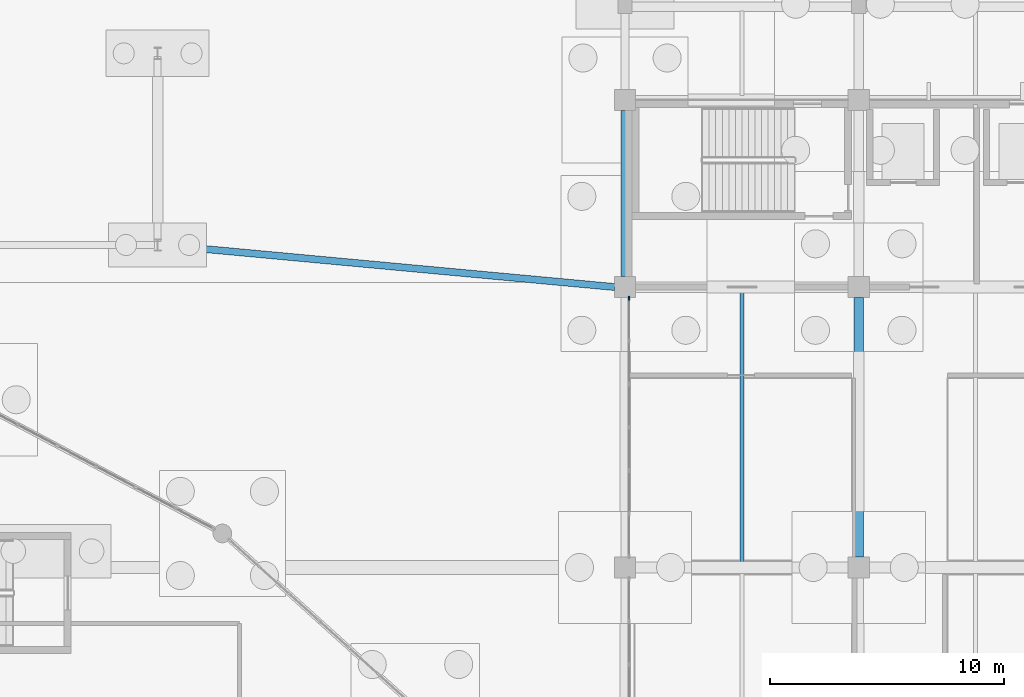
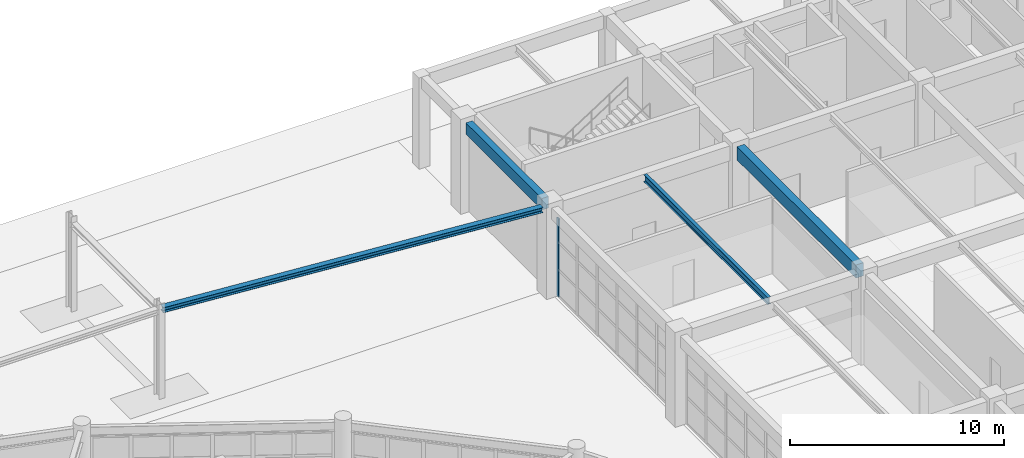
# One storey, part 52 of 99: 4 beams, 1 member, 1 element without a shape of its own.
"""IFC4 building model written with IfcOpenShell, lengths in metres."""

from ifc_helpers import new_model, si_unit, direction, frame, origin, origin_2d, place, context, subcontext, project, spatial, rectangle, i_section, extrude, material, layer, layer_set, material_profile, profile_set, type_object, element, aggregate, save


model = new_model("IFC4")

# Units and contexts
model_context = context("Model", 3, precision=1e-05, world=origin(), true_north=direction((0.0, 1.0)))
body_context = subcontext(model_context, "Body", "Model", "MODEL_VIEW")
ifc_project = project(units=[si_unit("LENGTHUNIT", "METRE"), si_unit("AREAUNIT", "SQUARE_METRE"), si_unit("VOLUMEUNIT", "CUBIC_METRE"), si_unit("PLANEANGLEUNIT", "RADIAN"), si_unit("MASSUNIT", "GRAM", prefix="KILO")], contexts=[model_context])

# Site, building, storey
site_placement = place(None, origin())
site = spatial("IfcSite", under=ifc_project, at=site_placement, CompositionType="ELEMENT")
building_placement = place(site_placement, origin())
building = spatial("IfcBuilding", under=site, at=building_placement, Name="Kivolera Central Railway Station", CompositionType="ELEMENT")
storey_placement = place(building_placement, origin())
storey = spatial("IfcBuildingStorey", under=building, at=storey_placement, Name="L00", CompositionType="ELEMENT", Elevation=0.0)

# Beams
ifc_material_1 = material(Name="Steel S355", Category="steel")
ifc_material_profile_1 = material_profile(ifc_material_1, i_section(OverallWidth=0.300048828125, OverallDepth=0.2900390625, WebThickness=0.008544921875, FlangeThickness=0.013916015625, FilletRadius=0.027099609375, at=origin_2d()), Name="HEA 300")
ifc_profile_set_1 = profile_set([ifc_material_profile_1], Name="Steel S355")
beam_type_1 = type_object("IfcBeamType", Name="BM-CAN-TIE", PredefinedType="BEAM", material=ifc_profile_set_1)
beam_1_placement = place(storey_placement, frame((98.139892578125, 127.800048828125, 4.919921875), z_axis=(0.995731795012, -0.09229405399, 0.0), x_axis=(0.09229405399, 0.995731795012, 0.0)))
element("IfcBeam", 1, at=beam_1_placement, inside=storey, type_object=beam_type_1, Name="Forecourt Canopy-to-Wing Structural Tie Beam", PredefinedType="BEAM", context=body_context, shape_type="SweptSolid", body=[
    extrude(i_section(OverallWidth=0.300048828125, OverallDepth=0.2900390625, WebThickness=0.008544921875, FlangeThickness=0.013916015625, FilletRadius=0.027099609375, at=origin_2d()), origin(), (0.0, 0.0, 1.0), 19.50341796875),
])
ifc_material_profile_2 = material_profile(ifc_material_1, i_section(OverallWidth=0.179931640625, OverallDepth=0.39990234375, WebThickness=0.008544921875, FlangeThickness=0.013427734375, FilletRadius=0.02099609375, at=origin_2d()), Name="IPE 400")
ifc_profile_set_2 = profile_set([ifc_material_profile_2], Name="Steel S355")
beam_type_2 = type_object("IfcBeamType", Name="BM-JST-IPE400", PredefinedType="JOIST", material=ifc_profile_set_2)
beam_2_placement = place(storey_placement, frame((123.0, 114.217041015625, 4.907958984375), z_axis=(0.0, 1.0, 0.0), x_axis=(-1.0, 0.0, 0.0)))
element("IfcBeam", 2, at=beam_2_placement, inside=storey, type_object=beam_type_2, Name="L00 Floor Joist 12-13/K-L", PredefinedType="JOIST", context=body_context, shape_type="SweptSolid", body=[
    extrude(i_section(OverallWidth=0.179931640625, OverallDepth=0.39990234375, WebThickness=0.008544921875, FlangeThickness=0.013427734375, FilletRadius=0.02099609375, at=origin_2d()), origin(), (0.0, 0.0, 1.0), 11.56591796875),
])
ifc_material_2 = material(Name="Concrete C40/50", Category="concrete")
ifc_material_profile_3 = material_profile(ifc_material_2, rectangle(XDim=0.39990234375, YDim=0.75, at=origin_2d()), Name="RC 400x750")
ifc_profile_set_3 = profile_set([ifc_material_profile_3], Name="Concrete C40/50")
beam_type_3 = type_object("IfcBeamType", Name="BM-RC-400x750", PredefinedType="BEAM", material=ifc_profile_set_3)
beam_3_placement = place(storey_placement, frame((128.0, 114.44189453125, 4.7451171875), z_axis=(0.0, 1.0, 0.0), x_axis=(-1.0, 0.0, 0.0)))
element("IfcBeam", 3, at=beam_3_placement, inside=storey, type_object=beam_type_3, Name="L00 Wing Y-Beam 13:K-L", PredefinedType="BEAM", context=body_context, shape_type="SweptSolid", body=[
    extrude(rectangle(XDim=0.39990234375, YDim=0.75, at=origin_2d()), origin(), (0.0, 0.0, 1.0), 11.1162109375),
])
ifc_material_profile_4 = material_profile(ifc_material_2, rectangle(XDim=0.35009765625, YDim=0.64990234375, at=origin_2d()), Name="RC 350x650")
ifc_profile_set_4 = profile_set([ifc_material_profile_4], Name="Concrete C40/50")
beam_type_4 = type_object("IfcBeamType", Name="BM-SPN-RC650", PredefinedType="SPANDREL", material=ifc_profile_set_4)
beam_4_placement = place(storey_placement, frame((118.0, 126.44189453125, 4.794921875), z_axis=(0.0, 1.0, 0.0), x_axis=(-1.0, 0.0, 0.0)))
element("IfcBeam", 4, at=beam_4_placement, inside=storey, type_object=beam_type_4, Name="L00 Wing Y-Beam 12:L-M", PredefinedType="SPANDREL", context=body_context, shape_type="SweptSolid", body=[
    extrude(rectangle(XDim=0.35009765625, YDim=0.64990234375, at=origin_2d()), origin(), (0.0, 0.0, 1.0), 7.1162109375),
])

# Curtain wall, member
ifc_material_3 = material(Name="Anodised aluminium", Category="aluminium")
ifc_layer = layer(ifc_material_3, 0.179931640625, Name="Anodised aluminium")
ifc_layer_set = layer_set([ifc_layer], Name="Anodised aluminium")
curtain_wall_type = type_object("IfcCurtainWallType", Name="CW-SYS-23", PredefinedType="NOTDEFINED", material=ifc_layer_set)
curtain_wall_placement = place(storey_placement, origin())
curtain_wall = element("IfcCurtainWall", 5, at=curtain_wall_placement, inside=storey, type_object=curtain_wall_type, Name="L00 Curtain Wall CW-L00-WEST-K", PredefinedType="NOTDEFINED")
ifc_material_profile_5 = material_profile(ifc_material_3, rectangle(XDim=0.070068359375, YDim=0.179931640625, at=origin_2d()), Name="ALU MULL 70x180")
ifc_profile_set_5 = profile_set([ifc_material_profile_5], Name="Anodised aluminium")
member_type = type_object("IfcMemberType", Name="CWM-MUL-1", PredefinedType="MULLION", material=ifc_profile_set_5)
member_placement = place(storey_placement, frame((118.169921875, 125.52001953125, -0.0048828125), z_axis=(0.0, 0.0, 1.0), x_axis=(-1.0, 0.0, 0.0)))
member = element("IfcMember", 6, at=member_placement, type_object=member_type, Name="CW-23 mullion 7", PredefinedType="MULLION", context=body_context, shape_type="SweptSolid", body=[
    extrude(rectangle(XDim=0.070068359375, YDim=0.179931640625, at=origin_2d()), origin(), (0.0, 0.0, 1.0), 4.462890625),
])
aggregate(curtain_wall, [member])

save(model, "model.ifc")
